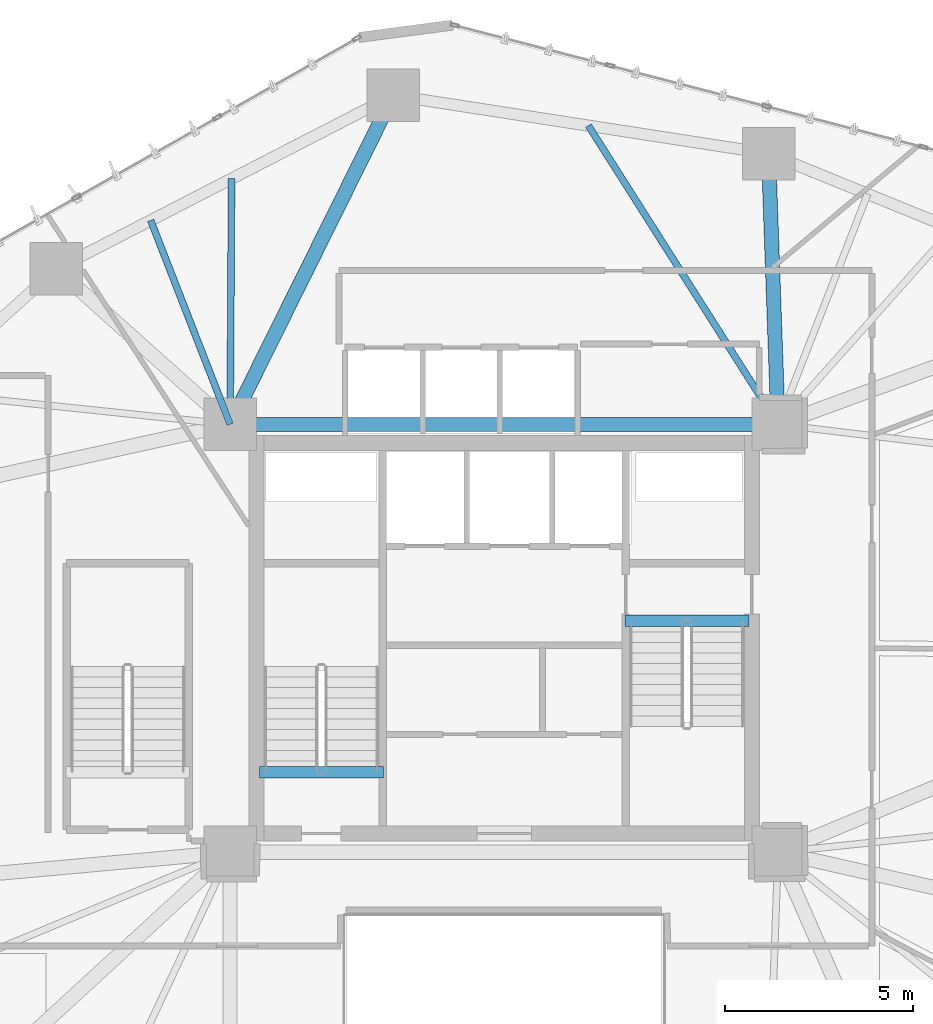
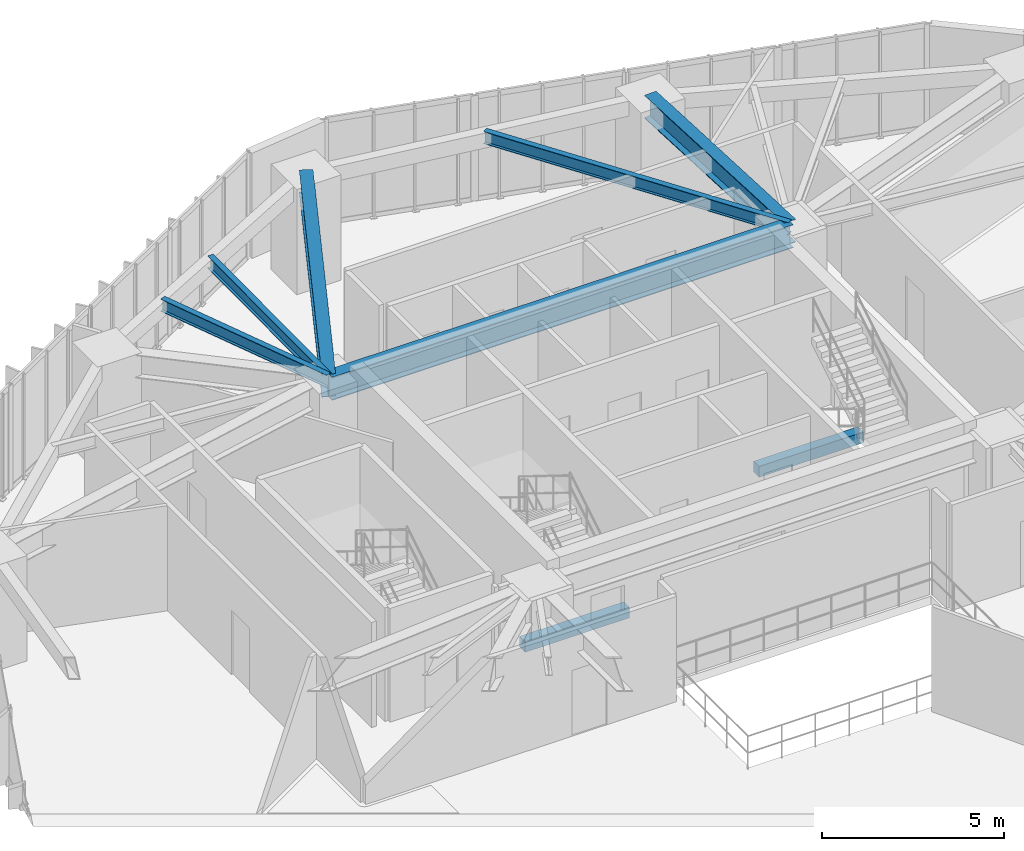
# One storey, part 8 of 23: 8 beams.
"""IFC4 building model written with IfcOpenShell, lengths in metres."""

from ifc_helpers import new_model, si_unit, direction, frame, origin, origin_2d, place, context, subcontext, project, spatial, rectangle, i_section, extrude, material, material_profile, profile_set, type_object, element, save


model = new_model("IFC4")

# Units and contexts
model_context = context("Model", 3, precision=1e-05, world=origin(), true_north=direction((0.0, 1.0)))
body_context = subcontext(model_context, "Body", "Model", "MODEL_VIEW")
ifc_project = project(units=[si_unit("LENGTHUNIT", "METRE"), si_unit("AREAUNIT", "SQUARE_METRE"), si_unit("VOLUMEUNIT", "CUBIC_METRE"), si_unit("PLANEANGLEUNIT", "RADIAN"), si_unit("MASSUNIT", "GRAM", prefix="KILO")], contexts=[model_context])

# Site, building, storey
site_placement = place(None, origin())
site = spatial("IfcSite", under=ifc_project, at=site_placement, CompositionType="ELEMENT")
building_placement = place(site_placement, origin())
building = spatial("IfcBuilding", under=site, at=building_placement, Name="Talar Marvaseh", CompositionType="ELEMENT")
storey_placement = place(building_placement, frame((0.0, 0.0, 46.800048828125)))
storey = spatial("IfcBuildingStorey", under=building, at=storey_placement, Name="L11", CompositionType="ELEMENT", Elevation=46.800048828125)

# Beams
ifc_material_1 = material(Name="Concrete C40/50", Category="concrete")
ifc_material_profile_1 = material_profile(ifc_material_1, rectangle(XDim=0.300048828125, YDim=0.360107421875, at=origin_2d()), Name="RC300x360")
ifc_profile_set_1 = profile_set([ifc_material_profile_1], Name="Concrete C40/50")
beam_type_1 = type_object("IfcBeamType", Name="Concrete Stair Landing Trimmer Beam RC300x360", PredefinedType="SPANDREL", material=ifc_profile_set_1)
for number, where, z_axis, x_axis, name in (
    (1, (22.780029296875, 27.6298828125, -0.179931640625), (-1.0, 0.0, 0.0), (0.0, -1.0, 0.0), "L11 ST-1 Stair Nosing Trimmer Beam"),
    (2, (29.219970703125, 31.669921875, -0.179931640625), (1.0, 0.0, 0.0), (0.0, 1.0, 0.0), "L11 ST-2 Stair Nosing Trimmer Beam"),
):
    element("IfcBeam", number, at=place(storey_placement, frame(where, z_axis=z_axis, x_axis=x_axis)), inside=storey, type_object=beam_type_1, Name=name, PredefinedType="SPANDREL", context=body_context, shape_type="SweptSolid", body=[
        extrude(rectangle(XDim=0.300048828125, YDim=0.360107421875, at=origin_2d()), origin(), (0.0, 0.0, 1.0), 3.300048828125),
    ])
ifc_material_2 = material(Name="Steel S355", Category="steel")
ifc_material_profile_2 = material_profile(ifc_material_2, i_section(OverallWidth=0.381103515625, OverallDepth=0.77294921875, WebThickness=0.0166015625, FlangeThickness=0.027099609375, at=origin_2d()), Name="W760x257")
ifc_profile_set_2 = profile_set([ifc_material_profile_2], Name="Steel S355")
beam_type_2 = type_object("IfcBeamType", Name="Zone 1 Radial Floor Girder W760x257", PredefinedType="BEAM", material=ifc_profile_set_2)
beam_1_placement = place(storey_placement, frame((18.699951171875, 36.89990234375, 3.133544921875), z_axis=(1.0, 0.0, 0.0), x_axis=(0.0, 1.0, 0.0)))
element("IfcBeam", 3, at=beam_1_placement, inside=storey, type_object=beam_type_2, Name="L11 Zone 1 Radial Floor Girder W760x257", PredefinedType="BEAM", context=body_context, shape_type="SweptSolid", body=[
    extrude(i_section(OverallWidth=0.381103515625, OverallDepth=0.77294921875, WebThickness=0.0166015625, FlangeThickness=0.027099609375, at=origin_2d()), origin(), (0.0, 0.0, 1.0), 14.60009765625),
])
beam_2_placement = place(storey_placement, frame((23.047119140625, 45.6669921875, 3.133544921875), z_axis=(-0.444237233911, -0.895909191831, 0.0), x_axis=(0.895909191831, -0.444237233911, 0.0)))
element("IfcBeam", 4, at=beam_2_placement, inside=storey, type_object=beam_type_2, Name="L11 Zone 1 Radial Floor Girder W760x257", PredefinedType="BEAM", context=body_context, shape_type="SweptSolid", body=[
    extrude(i_section(OverallWidth=0.381103515625, OverallDepth=0.77294921875, WebThickness=0.0166015625, FlangeThickness=0.027099609375, at=origin_2d()), origin(), (0.0, 0.0, 1.0), 9.78564453125),
])
beam_3_placement = place(storey_placement, frame((33.0458984375, 44.117919921875, 3.133544921875), z_axis=(0.03518874657, -0.999380684281, 0.0), x_axis=(0.999380684281, 0.03518874657, 0.0)))
element("IfcBeam", 5, at=beam_3_placement, inside=storey, type_object=beam_type_2, Name="L11 Zone 1 Radial Floor Girder W760x257", PredefinedType="BEAM", context=body_context, shape_type="SweptSolid", body=[
    extrude(i_section(OverallWidth=0.381103515625, OverallDepth=0.77294921875, WebThickness=0.0166015625, FlangeThickness=0.027099609375, at=origin_2d()), origin(), (0.0, 0.0, 1.0), 7.222412109375),
])
ifc_material_profile_3 = material_profile(ifc_material_2, i_section(OverallWidth=0.179931640625, OverallDepth=0.4130859375, WebThickness=0.009765625, FlangeThickness=0.01611328125, at=origin_2d()), Name="W410x75")
ifc_profile_set_3 = profile_set([ifc_material_profile_3], Name="Steel S355")
beam_type_3 = type_object("IfcBeamType", Name="Zone 1 Secondary Floor Joist W410x75", PredefinedType="JOIST", material=ifc_profile_set_3)
beam_4_placement = place(storey_placement, frame((16.582763671875, 42.337646484375, 3.3134765625), z_axis=(0.362819746189, -0.931859341197, 0.0), x_axis=(0.931859341197, 0.362819746189, 0.0)))
element("IfcBeam", 6, at=beam_4_placement, inside=storey, type_object=beam_type_3, Name="L11 Zone 1 Secondary Floor Joist W410x75", PredefinedType="JOIST", context=body_context, shape_type="SweptSolid", body=[
    extrude(i_section(OverallWidth=0.179931640625, OverallDepth=0.4130859375, WebThickness=0.009765625, FlangeThickness=0.01611328125, at=origin_2d()), origin(), (0.0, 0.0, 1.0), 5.83544921875),
])
beam_5_placement = place(storey_placement, frame((18.737548828125, 43.447509765625, 3.3134765625), z_axis=(-0.00574210303, -0.999983513991, 0.0), x_axis=(0.999983513991, -0.00574210303, 0.0)))
element("IfcBeam", 7, at=beam_5_placement, inside=storey, type_object=beam_type_3, Name="L11 Zone 1 Secondary Floor Joist W410x75", PredefinedType="JOIST", context=body_context, shape_type="SweptSolid", body=[
    extrude(i_section(OverallWidth=0.179931640625, OverallDepth=0.4130859375, WebThickness=0.009765625, FlangeThickness=0.01611328125, at=origin_2d()), origin(), (0.0, 0.0, 1.0), 6.547607421875),
])
beam_6_placement = place(storey_placement, frame((28.24658203125, 44.861572265625, 3.3134765625), z_axis=(0.53589010079, -0.844287747083, 0.0), x_axis=(0.844287747083, 0.53589010079, 0.0)))
element("IfcBeam", 8, at=beam_6_placement, inside=storey, type_object=beam_type_3, Name="L11 Zone 1 Secondary Floor Joist W410x75", PredefinedType="JOIST", context=body_context, shape_type="SweptSolid", body=[
    extrude(i_section(OverallWidth=0.179931640625, OverallDepth=0.4130859375, WebThickness=0.009765625, FlangeThickness=0.01611328125, at=origin_2d()), origin(), (0.0, 0.0, 1.0), 9.429931640625),
])

save(model, "model.ifc")
